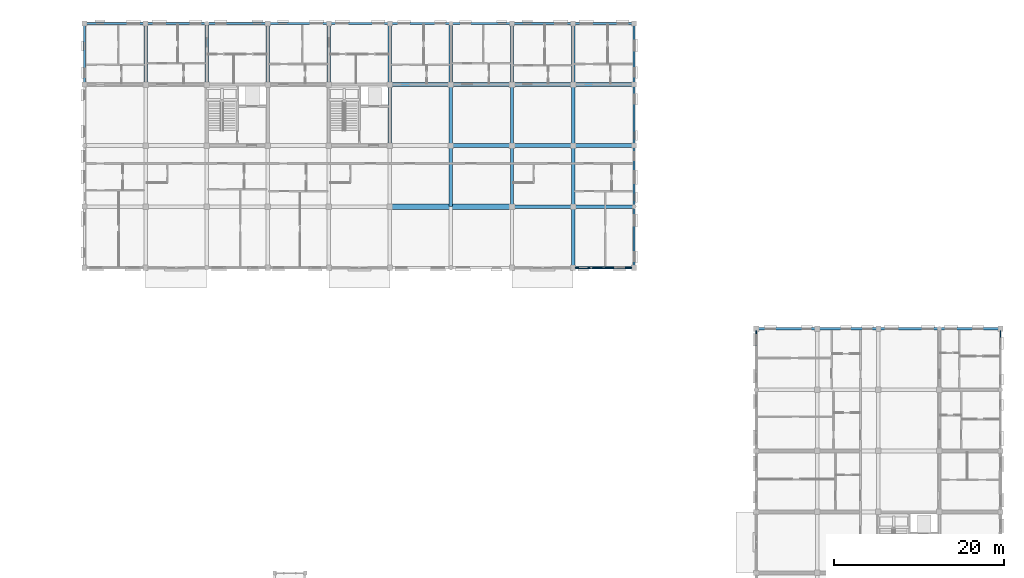
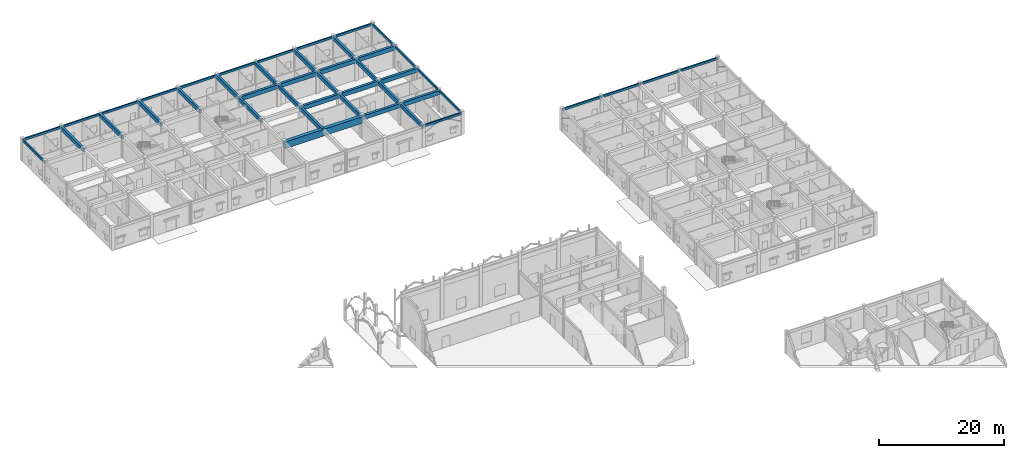
# One storey, part 29 of 138: 45 beams, 6 members.
"""IFC4 building model written with IfcOpenShell, lengths in metres."""

from ifc_helpers import new_model, si_unit, direction, frame, origin, origin_2d, place, context, subcontext, project, spatial, rectangle, hollow_rectangle, extrude, material, material_profile, profile_set, type_object, element, save


model = new_model("IFC4")

# Units and contexts
model_context = context("Model", 3, precision=1e-05, world=origin(), true_north=direction((0.0, 1.0)))
body_context = subcontext(model_context, "Body", "Model", "MODEL_VIEW")
ifc_project = project(units=[si_unit("LENGTHUNIT", "METRE"), si_unit("AREAUNIT", "SQUARE_METRE"), si_unit("VOLUMEUNIT", "CUBIC_METRE"), si_unit("PLANEANGLEUNIT", "RADIAN"), si_unit("MASSUNIT", "GRAM", prefix="KILO"), si_unit("THERMODYNAMICTEMPERATUREUNIT", "KELVIN"), si_unit("POWERUNIT", "WATT")], contexts=[model_context])

# Site, building, storey
site_placement = place(None, origin())
site = spatial("IfcSite", under=ifc_project, at=site_placement, CompositionType="ELEMENT")
building_placement = place(site_placement, origin())
building = spatial("IfcBuilding", under=site, at=building_placement, Name="Tavuni Mirador Residences", CompositionType="ELEMENT")
storey_placement = place(building_placement, origin())
storey = spatial("IfcBuildingStorey", under=building, at=storey_placement, Name="L00", CompositionType="ELEMENT", Elevation=0.0)

# Beams
ifc_material_1 = material(Name="Precast concrete C40/50", Category="concrete")
ifc_material_profile_1 = material_profile(ifc_material_1, rectangle(XDim=0.39990234375, YDim=0.75, at=origin_2d()), Name="RC 400x750", Category="concrete")
ifc_profile_set_1 = profile_set([ifc_material_profile_1], Name="Precast concrete C40/50")
beam_type_1 = type_object("IfcBeamType", Name="BT-G750", PredefinedType="USERDEFINED", material=ifc_profile_set_1)
for number, where, z_axis, x_axis, name in (
    (1, (18.0, 165.60009765625, 3.860107421875), (0.0, 1.0, 0.0), (-1.0, 0.0, 0.0), "BMY-BLK-C-L00-01-03"),
    (2, (25.199951171875, 165.60009765625, 3.860107421875), (0.0, 1.0, 0.0), (-1.0, 0.0, 0.0), "BMY-BLK-C-L00-02-03"),
    (3, (32.39990234375, 165.60009765625, 3.860107421875), (0.0, 1.0, 0.0), (-1.0, 0.0, 0.0), "BMY-BLK-C-L00-03-03"),
    (4, (39.60009765625, 165.60009765625, 3.860107421875), (0.0, 1.0, 0.0), (-1.0, 0.0, 0.0), "BMY-BLK-C-L00-04-03"),
):
    element("IfcBeam", number, at=place(storey_placement, frame(where, z_axis=z_axis, x_axis=x_axis)), inside=storey, type_object=beam_type_1, Name=name, ObjectType="GIRDER", PredefinedType="USERDEFINED", context=body_context, shape_type="SweptSolid", body=[
        extrude(rectangle(XDim=0.39990234375, YDim=0.75, at=origin_2d()), origin(), (0.0, 0.0, 1.0), 7.199951171875),
    ])
beam_1_placement = place(storey_placement, frame((46.800048828125, 158.39990234375, 3.860107421875), z_axis=(0.0, 1.0, 0.0), x_axis=(-1.0, 0.0, 0.0)))
element("IfcBeam", 5, at=beam_1_placement, inside=storey, type_object=beam_type_1, Name="BMY-BLK-C-L00-05-02", ObjectType="GIRDER", PredefinedType="USERDEFINED", context=body_context, shape_type="SweptSolid", body=[
    extrude(rectangle(XDim=0.39990234375, YDim=0.75, at=origin_2d()), origin(), (0.0, 0.0, 1.0), 7.2001953125),
])
for number, where, z_axis, x_axis, name in (
    (6, (46.800048828125, 165.60009765625, 3.860107421875), (0.0, 1.0, 0.0), (-1.0, 0.0, 0.0), "BMY-BLK-C-L00-05-03"),
    (7, (54.0, 151.199951171875, 3.860107421875), (0.0, 1.0, 0.0), (-1.0, 0.0, 0.0), "BMY-BLK-C-L00-06-01"),
):
    element("IfcBeam", number, at=place(storey_placement, frame(where, z_axis=z_axis, x_axis=x_axis)), inside=storey, type_object=beam_type_1, Name=name, ObjectType="GIRDER", PredefinedType="USERDEFINED", context=body_context, shape_type="SweptSolid", body=[
        extrude(rectangle(XDim=0.39990234375, YDim=0.75, at=origin_2d()), origin(), (0.0, 0.0, 1.0), 7.199951171875),
    ])
beam_2_placement = place(storey_placement, frame((54.0, 158.39990234375, 3.860107421875), z_axis=(0.0, 1.0, 0.0), x_axis=(-1.0, 0.0, 0.0)))
element("IfcBeam", 8, at=beam_2_placement, inside=storey, type_object=beam_type_1, Name="BMY-BLK-C-L00-06-02", ObjectType="GIRDER", PredefinedType="USERDEFINED", context=body_context, shape_type="SweptSolid", body=[
    extrude(rectangle(XDim=0.39990234375, YDim=0.75, at=origin_2d()), origin(), (0.0, 0.0, 1.0), 7.2001953125),
])
for number, where, z_axis, x_axis, name in (
    (9, (54.0, 165.60009765625, 3.860107421875), (0.0, 1.0, 0.0), (-1.0, 0.0, 0.0), "BMY-BLK-C-L00-06-03"),
    (10, (61.199951171875, 151.199951171875, 3.860107421875), (0.0, 1.0, 0.0), (-1.0, 0.0, 0.0), "BMY-BLK-C-L00-07-01"),
):
    element("IfcBeam", number, at=place(storey_placement, frame(where, z_axis=z_axis, x_axis=x_axis)), inside=storey, type_object=beam_type_1, Name=name, ObjectType="GIRDER", PredefinedType="USERDEFINED", context=body_context, shape_type="SweptSolid", body=[
        extrude(rectangle(XDim=0.39990234375, YDim=0.75, at=origin_2d()), origin(), (0.0, 0.0, 1.0), 7.199951171875),
    ])
beam_3_placement = place(storey_placement, frame((61.199951171875, 158.39990234375, 3.860107421875), z_axis=(0.0, 1.0, 0.0), x_axis=(-1.0, 0.0, 0.0)))
element("IfcBeam", 11, at=beam_3_placement, inside=storey, type_object=beam_type_1, Name="BMY-BLK-C-L00-07-02", ObjectType="GIRDER", PredefinedType="USERDEFINED", context=body_context, shape_type="SweptSolid", body=[
    extrude(rectangle(XDim=0.39990234375, YDim=0.75, at=origin_2d()), origin(), (0.0, 0.0, 1.0), 7.2001953125),
])
for number, where, z_axis, x_axis, name in (
    (12, (61.199951171875, 165.60009765625, 3.860107421875), (0.0, 1.0, 0.0), (-1.0, 0.0, 0.0), "BMY-BLK-C-L00-07-03"),
    (13, (68.39990234375, 144.0, 3.860107421875), (0.0, 1.0, 0.0), (-1.0, 0.0, 0.0), "BMY-BLK-C-L00-08-00"),
    (14, (68.39990234375, 151.199951171875, 3.860107421875), (0.0, 1.0, 0.0), (-1.0, 0.0, 0.0), "BMY-BLK-C-L00-08-01"),
):
    element("IfcBeam", number, at=place(storey_placement, frame(where, z_axis=z_axis, x_axis=x_axis)), inside=storey, type_object=beam_type_1, Name=name, ObjectType="GIRDER", PredefinedType="USERDEFINED", context=body_context, shape_type="SweptSolid", body=[
        extrude(rectangle(XDim=0.39990234375, YDim=0.75, at=origin_2d()), origin(), (0.0, 0.0, 1.0), 7.199951171875),
    ])
beam_4_placement = place(storey_placement, frame((68.39990234375, 158.39990234375, 3.860107421875), z_axis=(0.0, 1.0, 0.0), x_axis=(-1.0, 0.0, 0.0)))
element("IfcBeam", 15, at=beam_4_placement, inside=storey, type_object=beam_type_1, Name="BMY-BLK-C-L00-08-02", ObjectType="GIRDER", PredefinedType="USERDEFINED", context=body_context, shape_type="SweptSolid", body=[
    extrude(rectangle(XDim=0.39990234375, YDim=0.75, at=origin_2d()), origin(), (0.0, 0.0, 1.0), 7.2001953125),
])
beam_5_placement = place(storey_placement, frame((68.39990234375, 165.60009765625, 3.860107421875), z_axis=(0.0, 1.0, 0.0), x_axis=(-1.0, 0.0, 0.0)))
element("IfcBeam", 16, at=beam_5_placement, inside=storey, type_object=beam_type_1, Name="BMY-BLK-C-L00-08-03", ObjectType="GIRDER", PredefinedType="USERDEFINED", context=body_context, shape_type="SweptSolid", body=[
    extrude(rectangle(XDim=0.39990234375, YDim=0.75, at=origin_2d()), origin(), (0.0, 0.0, 1.0), 7.199951171875),
])
ifc_material_profile_2 = material_profile(ifc_material_1, rectangle(XDim=0.449951171875, YDim=0.800048828125, at=origin_2d()), Name="RC 450x800", Category="concrete")
ifc_profile_set_2 = profile_set([ifc_material_profile_2], Name="Precast concrete C40/50")
beam_type_2 = type_object("IfcBeamType", Name="BT-G800", PredefinedType="USERDEFINED", material=ifc_profile_set_2)
beam_6_placement = place(storey_placement, frame((61.199951171875, 151.199951171875, 3.8349609375), z_axis=(1.0, 0.0, 0.0), x_axis=(0.0, 1.0, 0.0)))
element("IfcBeam", 17, at=beam_6_placement, inside=storey, type_object=beam_type_2, Name="BMX-BLK-C-L00-07-01", ObjectType="GIRDER", PredefinedType="USERDEFINED", context=body_context, shape_type="SweptSolid", body=[
    extrude(rectangle(XDim=0.449951171875, YDim=0.800048828125, at=origin_2d()), origin(), (0.0, 0.0, 1.0), 7.199951171875),
])
beam_7_placement = place(storey_placement, frame((68.39990234375, 151.199951171875, 3.8349609375), z_axis=(1.0, 0.0, 0.0), x_axis=(0.0, 1.0, 0.0)))
element("IfcBeam", 18, at=beam_7_placement, inside=storey, type_object=beam_type_2, Name="BMX-BLK-C-L00-08-01", ObjectType="GIRDER", PredefinedType="USERDEFINED", context=body_context, shape_type="SweptSolid", body=[
    extrude(rectangle(XDim=0.449951171875, YDim=0.800048828125, at=origin_2d()), origin(), (0.0, 0.0, 1.0), 7.2001953125),
])
for number, where, z_axis, x_axis, name in (
    (19, (54.0, 158.39990234375, 3.8349609375), (1.0, 0.0, 0.0), (0.0, 1.0, 0.0), "BMX-BLK-C-L00-06-02"),
    (20, (61.199951171875, 158.39990234375, 3.8349609375), (1.0, 0.0, 0.0), (0.0, 1.0, 0.0), "BMX-BLK-C-L00-07-02"),
):
    element("IfcBeam", number, at=place(storey_placement, frame(where, z_axis=z_axis, x_axis=x_axis)), inside=storey, type_object=beam_type_2, Name=name, ObjectType="GIRDER", PredefinedType="USERDEFINED", context=body_context, shape_type="SweptSolid", body=[
        extrude(rectangle(XDim=0.449951171875, YDim=0.800048828125, at=origin_2d()), origin(), (0.0, 0.0, 1.0), 7.199951171875),
    ])
beam_8_placement = place(storey_placement, frame((68.39990234375, 158.39990234375, 3.8349609375), z_axis=(1.0, 0.0, 0.0), x_axis=(0.0, 1.0, 0.0)))
element("IfcBeam", 21, at=beam_8_placement, inside=storey, type_object=beam_type_2, Name="BMX-BLK-C-L00-08-02", ObjectType="GIRDER", PredefinedType="USERDEFINED", context=body_context, shape_type="SweptSolid", body=[
    extrude(rectangle(XDim=0.449951171875, YDim=0.800048828125, at=origin_2d()), origin(), (0.0, 0.0, 1.0), 7.2001953125),
])
for number, where, z_axis, x_axis, name in (
    (22, (46.800048828125, 165.60009765625, 3.8349609375), (1.0, 0.0, 0.0), (0.0, 1.0, 0.0), "BMX-BLK-C-L00-05-03"),
    (23, (54.0, 165.60009765625, 3.8349609375), (1.0, 0.0, 0.0), (0.0, 1.0, 0.0), "BMX-BLK-C-L00-06-03"),
    (24, (61.199951171875, 165.60009765625, 3.8349609375), (1.0, 0.0, 0.0), (0.0, 1.0, 0.0), "BMX-BLK-C-L00-07-03"),
):
    element("IfcBeam", number, at=place(storey_placement, frame(where, z_axis=z_axis, x_axis=x_axis)), inside=storey, type_object=beam_type_2, Name=name, ObjectType="GIRDER", PredefinedType="USERDEFINED", context=body_context, shape_type="SweptSolid", body=[
        extrude(rectangle(XDim=0.449951171875, YDim=0.800048828125, at=origin_2d()), origin(), (0.0, 0.0, 1.0), 7.199951171875),
    ])
beam_9_placement = place(storey_placement, frame((68.39990234375, 165.60009765625, 3.8349609375), z_axis=(1.0, 0.0, 0.0), x_axis=(0.0, 1.0, 0.0)))
element("IfcBeam", 25, at=beam_9_placement, inside=storey, type_object=beam_type_2, Name="BMX-BLK-C-L00-08-03", ObjectType="GIRDER", PredefinedType="USERDEFINED", context=body_context, shape_type="SweptSolid", body=[
    extrude(rectangle(XDim=0.449951171875, YDim=0.800048828125, at=origin_2d()), origin(), (0.0, 0.0, 1.0), 7.2001953125),
])
ifc_material_profile_3 = material_profile(ifc_material_1, rectangle(XDim=0.25, YDim=0.419921875, at=origin_2d()), Name="PC 250x420", Category="concrete")
ifc_profile_set_3 = profile_set([ifc_material_profile_3], Name="Precast concrete C40/50")
beam_type_3 = type_object("IfcBeamType", Name="BT-SP420", PredefinedType="SPANDREL", material=ifc_profile_set_3)
beam_10_placement = place(storey_placement, frame((68.39990234375, 144.0, 4.02490234375), z_axis=(1.0, 0.0, 0.0), x_axis=(0.0, 1.0, 0.0)))
element("IfcBeam", 26, at=beam_10_placement, inside=storey, type_object=beam_type_3, Name="BMX-BLK-C-L00-08-00", PredefinedType="SPANDREL", context=body_context, shape_type="SweptSolid", body=[
    extrude(rectangle(XDim=0.25, YDim=0.419921875, at=origin_2d()), origin(), (0.0, 0.0, 1.0), 7.2001953125),
])
for number, where, z_axis, x_axis, name in (
    (27, (10.800048828125, 172.800048828125, 4.02490234375), (1.0, 0.0, 0.0), (0.0, 1.0, 0.0), "BMX-BLK-C-L00-00-04"),
    (28, (18.0, 172.800048828125, 4.02490234375), (1.0, 0.0, 0.0), (0.0, 1.0, 0.0), "BMX-BLK-C-L00-01-04"),
    (29, (25.199951171875, 172.800048828125, 4.02490234375), (1.0, 0.0, 0.0), (0.0, 1.0, 0.0), "BMX-BLK-C-L00-02-04"),
):
    element("IfcBeam", number, at=place(storey_placement, frame(where, z_axis=z_axis, x_axis=x_axis)), inside=storey, type_object=beam_type_3, Name=name, PredefinedType="SPANDREL", context=body_context, shape_type="SweptSolid", body=[
        extrude(rectangle(XDim=0.25, YDim=0.419921875, at=origin_2d()), origin(), (0.0, 0.0, 1.0), 7.199951171875),
    ])
beam_11_placement = place(storey_placement, frame((32.39990234375, 172.800048828125, 4.02490234375), z_axis=(1.0, 0.0, 0.0), x_axis=(0.0, 1.0, 0.0)))
element("IfcBeam", 30, at=beam_11_placement, inside=storey, type_object=beam_type_3, Name="BMX-BLK-C-L00-03-04", PredefinedType="SPANDREL", context=body_context, shape_type="SweptSolid", body=[
    extrude(rectangle(XDim=0.25, YDim=0.419921875, at=origin_2d()), origin(), (0.0, 0.0, 1.0), 7.2001953125),
])
for number, where, z_axis, x_axis, name in (
    (31, (39.60009765625, 172.800048828125, 4.02490234375), (1.0, 0.0, 0.0), (0.0, 1.0, 0.0), "BMX-BLK-C-L00-04-04"),
    (32, (46.800048828125, 172.800048828125, 4.02490234375), (1.0, 0.0, 0.0), (0.0, 1.0, 0.0), "BMX-BLK-C-L00-05-04"),
    (33, (54.0, 172.800048828125, 4.02490234375), (1.0, 0.0, 0.0), (0.0, 1.0, 0.0), "BMX-BLK-C-L00-06-04"),
    (34, (61.199951171875, 172.800048828125, 4.02490234375), (1.0, 0.0, 0.0), (0.0, 1.0, 0.0), "BMX-BLK-C-L00-07-04"),
):
    element("IfcBeam", number, at=place(storey_placement, frame(where, z_axis=z_axis, x_axis=x_axis)), inside=storey, type_object=beam_type_3, Name=name, PredefinedType="SPANDREL", context=body_context, shape_type="SweptSolid", body=[
        extrude(rectangle(XDim=0.25, YDim=0.419921875, at=origin_2d()), origin(), (0.0, 0.0, 1.0), 7.199951171875),
    ])
beam_12_placement = place(storey_placement, frame((68.39990234375, 172.800048828125, 4.02490234375), z_axis=(1.0, 0.0, 0.0), x_axis=(0.0, 1.0, 0.0)))
element("IfcBeam", 35, at=beam_12_placement, inside=storey, type_object=beam_type_3, Name="BMX-BLK-C-L00-08-04", PredefinedType="SPANDREL", context=body_context, shape_type="SweptSolid", body=[
    extrude(rectangle(XDim=0.25, YDim=0.419921875, at=origin_2d()), origin(), (0.0, 0.0, 1.0), 7.2001953125),
])
for number, where, z_axis, x_axis, name in (
    (36, (10.800048828125, 165.60009765625, 4.02490234375), (0.0, 1.0, 0.0), (-1.0, 0.0, 0.0), "BMY-BLK-C-L00-00-03"),
    (37, (75.60009765625, 144.0, 4.02490234375), (0.0, 1.0, 0.0), (-1.0, 0.0, 0.0), "BMY-BLK-C-L00-09-00"),
    (38, (75.60009765625, 151.199951171875, 4.02490234375), (0.0, 1.0, 0.0), (-1.0, 0.0, 0.0), "BMY-BLK-C-L00-09-01"),
):
    element("IfcBeam", number, at=place(storey_placement, frame(where, z_axis=z_axis, x_axis=x_axis)), inside=storey, type_object=beam_type_3, Name=name, PredefinedType="SPANDREL", context=body_context, shape_type="SweptSolid", body=[
        extrude(rectangle(XDim=0.25, YDim=0.419921875, at=origin_2d()), origin(), (0.0, 0.0, 1.0), 7.199951171875),
    ])
beam_13_placement = place(storey_placement, frame((75.60009765625, 158.39990234375, 4.02490234375), z_axis=(0.0, 1.0, 0.0), x_axis=(-1.0, 0.0, 0.0)))
element("IfcBeam", 39, at=beam_13_placement, inside=storey, type_object=beam_type_3, Name="BMY-BLK-C-L00-09-02", PredefinedType="SPANDREL", context=body_context, shape_type="SweptSolid", body=[
    extrude(rectangle(XDim=0.25, YDim=0.419921875, at=origin_2d()), origin(), (0.0, 0.0, 1.0), 7.2001953125),
])
for number, where, z_axis, x_axis, name in (
    (40, (75.60009765625, 165.60009765625, 4.02490234375), (0.0, 1.0, 0.0), (-1.0, 0.0, 0.0), "BMY-BLK-C-L00-09-03"),
    (41, (90.0, 136.800048828125, 4.030029296875), (1.0, 0.0, 0.0), (0.0, 1.0, 0.0), "BMX-BLK-D-L00-00-07"),
    (42, (97.199951171875, 136.800048828125, 4.030029296875), (1.0, 0.0, 0.0), (0.0, 1.0, 0.0), "BMX-BLK-D-L00-01-07"),
):
    element("IfcBeam", number, at=place(storey_placement, frame(where, z_axis=z_axis, x_axis=x_axis)), inside=storey, type_object=beam_type_3, Name=name, PredefinedType="SPANDREL", context=body_context, shape_type="SweptSolid", body=[
        extrude(rectangle(XDim=0.25, YDim=0.419921875, at=origin_2d()), origin(), (0.0, 0.0, 1.0), 7.199951171875),
    ])
beam_14_placement = place(storey_placement, frame((104.39990234375, 136.800048828125, 4.030029296875), z_axis=(1.0, 0.0, 0.0), x_axis=(0.0, 1.0, 0.0)))
element("IfcBeam", 43, at=beam_14_placement, inside=storey, type_object=beam_type_3, Name="BMX-BLK-D-L00-02-07", PredefinedType="SPANDREL", context=body_context, shape_type="SweptSolid", body=[
    extrude(rectangle(XDim=0.25, YDim=0.419921875, at=origin_2d()), origin(), (0.0, 0.0, 1.0), 7.2001953125),
])
beam_15_placement = place(storey_placement, frame((111.60009765625, 136.800048828125, 4.030029296875), z_axis=(1.0, 0.0, 0.0), x_axis=(0.0, 1.0, 0.0)))
element("IfcBeam", 44, at=beam_15_placement, inside=storey, type_object=beam_type_3, Name="BMX-BLK-D-L00-03-07", PredefinedType="SPANDREL", context=body_context, shape_type="SweptSolid", body=[
    extrude(rectangle(XDim=0.25, YDim=0.419921875, at=origin_2d()), origin(), (0.0, 0.0, 1.0), 7.199951171875),
])
ifc_material_2 = material(Name="In-situ concrete C35/45", Category="concrete")
ifc_material_profile_4 = material_profile(ifc_material_2, rectangle(XDim=0.64990234375, YDim=1.300048828125, at=origin_2d()), Name="RC 650x1300", Category="concrete")
ifc_profile_set_4 = profile_set([ifc_material_profile_4], Name="In-situ concrete C35/45")
beam_type_4 = type_object("IfcBeamType", Name="BT-TG1300", PredefinedType="USERDEFINED", material=ifc_profile_set_4)
beam_16_placement = place(storey_placement, frame((46.800048828125, 151.199951171875, 3.5849609375), z_axis=(1.0, 0.0, 0.0), x_axis=(0.0, 1.0, 0.0)))
element("IfcBeam", 45, at=beam_16_placement, inside=storey, type_object=beam_type_4, Name="Transfer girder TG-C1", ObjectType="GIRDER", PredefinedType="USERDEFINED", context=body_context, shape_type="SweptSolid", body=[
    extrude(rectangle(XDim=0.64990234375, YDim=1.300048828125, at=origin_2d()), origin(), (0.0, 0.0, 1.0), 14.39990234375),
])

# Members
ifc_material_3 = material(Name="Structural steel S355", Category="steel")
ifc_material_profile_5 = material_profile(ifc_material_3, hollow_rectangle(XDim=0.10009765625, YDim=0.14990234375, WallThickness=0.008056640625, at=origin_2d()), Name="RHS 150x100x8.0", Category="steel")
ifc_profile_set_5 = profile_set([ifc_material_profile_5], Name="Structural steel S355")
member_type = type_object("IfcMemberType", Name="MT-BR-RHS150", PredefinedType="BRACE", material=ifc_profile_set_5)
member_1_placement = place(storey_placement, frame((68.699951171875, 144.0, 2.550048828125), z_axis=(0.867042380512, 0.0, 0.498234393029), x_axis=(0.0, 1.0, 0.0)))
element("IfcMember", 46, at=member_1_placement, inside=storey, type_object=member_type, Name="ARCH-BLKC-S-07-H1", PredefinedType="BRACE", context=body_context, shape_type="SweptSolid", body=[
    extrude(hollow_rectangle(XDim=0.10009765625, YDim=0.14990234375, WallThickness=0.008056640625, at=origin_2d()), origin(), (0.0, 0.0, 1.0), 2.131591796875),
])
for number, where, z_axis, x_axis, name in (
    (47, (70.548095703125, 144.0, 3.612060546875), (0.961871071438, 0.0, 0.273503275904), (0.0, 1.0, 0.0), "ARCH-BLKC-S-07-S1"),
    (48, (72.0, 144.0, 4.02490234375), (0.961871071438, 0.0, -0.273503275904), (0.0, 1.0, 0.0), "ARCH-BLKC-S-07-S2"),
):
    element("IfcMember", number, at=place(storey_placement, frame(where, z_axis=z_axis, x_axis=x_axis)), inside=storey, type_object=member_type, Name=name, PredefinedType="BRACE", context=body_context, shape_type="SweptSolid", body=[
        extrude(hollow_rectangle(XDim=0.10009765625, YDim=0.14990234375, WallThickness=0.008056640625, at=origin_2d()), origin(), (0.0, 0.0, 1.0), 1.509521484375),
    ])
member_2_placement = place(storey_placement, frame((73.451904296875, 144.0, 3.612060546875), z_axis=(0.867042380512, 0.0, -0.498234393029), x_axis=(0.0, 1.0, 0.0)))
element("IfcMember", 49, at=member_2_placement, inside=storey, type_object=member_type, Name="ARCH-BLKC-S-07-H2", PredefinedType="BRACE", context=body_context, shape_type="SweptSolid", body=[
    extrude(hollow_rectangle(XDim=0.10009765625, YDim=0.14990234375, WallThickness=0.008056640625, at=origin_2d()), origin(), (0.0, 0.0, 1.0), 2.131591796875),
])
for number, where, z_axis, x_axis, name in (
    (50, (118.800048828125, 134.652099609375, 3.615478515625), (0.0, 0.866320844112, -0.499487932845), (-1.0, 0.0, 0.0), "ARCH-BLKD-E-06-H2"),
    (51, (90.0, 134.652099609375, 3.615478515625), (0.0, 0.866320844112, -0.499487932845), (-1.0, 0.0, 0.0), "ARCH-BLKD-W-06-H2"),
):
    element("IfcMember", number, at=place(storey_placement, frame(where, z_axis=z_axis, x_axis=x_axis)), inside=storey, type_object=member_type, Name=name, PredefinedType="BRACE", context=body_context, shape_type="SweptSolid", body=[
        extrude(hollow_rectangle(XDim=0.10009765625, YDim=0.14990234375, WallThickness=0.008056640625, at=origin_2d()), origin(), (0.0, 0.0, 1.0), 2.133056640625),
    ])

save(model, "model.ifc")
